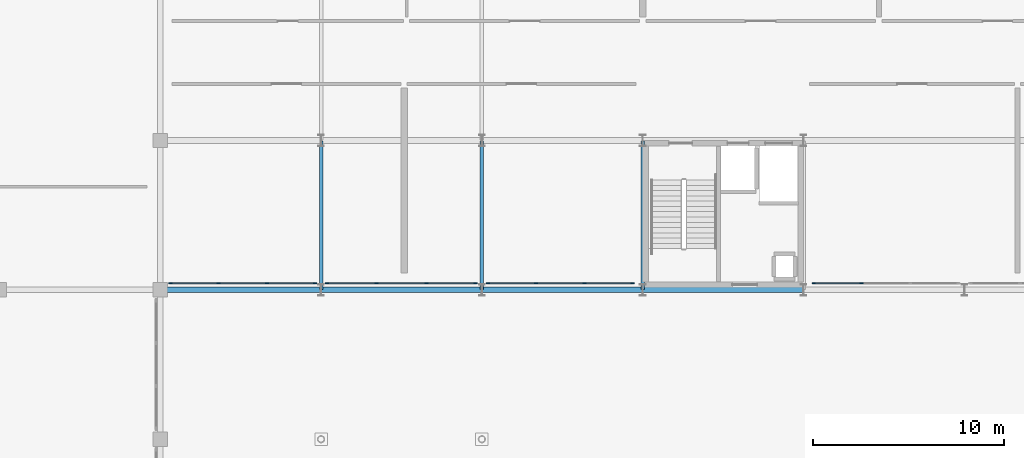
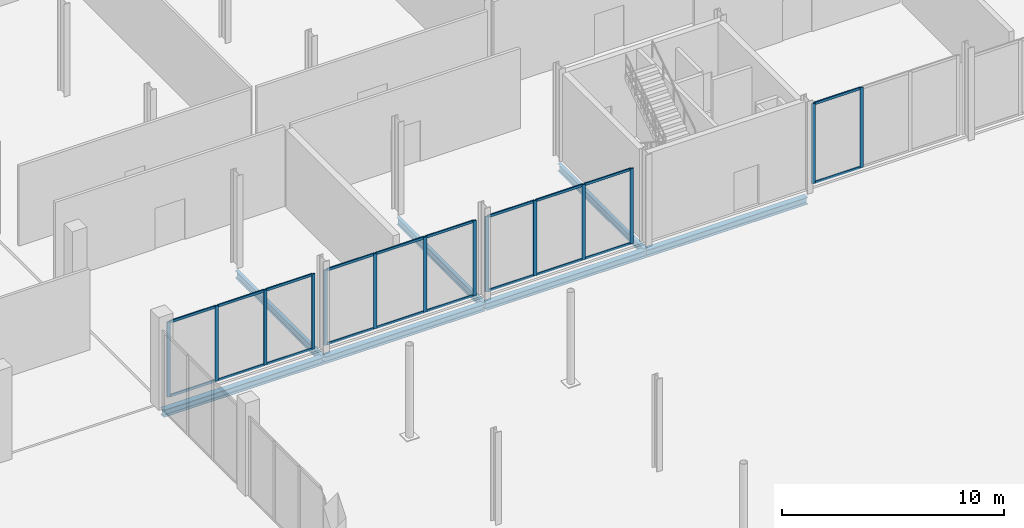
# One storey, part 31 of 80: 34 members, 7 beams, 4 elements without a shape of their own.
"""IFC4 building model written with IfcOpenShell, lengths in metres."""

import ifcopenshell
import ifcopenshell.guid

model = None  # the IFC model being written
_history = None  # IfcOwnerHistory: only IFC2X3 demands one
_inside = {}  # id of a spatial element -> (the spatial element, [elements in it])
_under = {}  # id of a project, library or spatial element -> (it, [spatial elements below it])
_declared = {}  # id of a project -> (the project, [libraries it declares])
_typed = {}  # id of a type object -> (the type object, [elements of that type])
_made_of = {}  # id of a material, layer set ... -> (it, [elements and type objects made of it])


def new_model(schema):
    """Start an empty IFC model of exactly this schema.

    Asked for "IFC4X3", IfcOpenShell would pick the latest addendum, in which some entities
    have other attributes; the version numbers below select the first issue.
    IFC2X3 requires an IfcOwnerHistory on every rooted entity: one is made here for all.
    """
    global model, _history
    if schema == "IFC4X3":
        model = ifcopenshell.file(schema_version=(4, 3, 0, 0))
    else:
        model = ifcopenshell.file(schema=schema)
    _inside.clear()
    _under.clear()
    _declared.clear()
    _typed.clear()
    _made_of.clear()
    _history = None
    if model.schema == "IFC2X3":
        org = make("IfcOrganization", Name="unknown")
        user = make(
            "IfcPersonAndOrganization",
            ThePerson=make("IfcPerson", FamilyName="unknown"),
            TheOrganization=org,
        )
        app = make(
            "IfcApplication",
            ApplicationDeveloper=org,
            Version="unknown",
            ApplicationFullName="unknown",
            ApplicationIdentifier="unknown",
        )
        _history = make(
            "IfcOwnerHistory",
            OwningUser=user,
            OwningApplication=app,
            ChangeAction="ADDED",
            CreationDate=0,
        )
    return model


def make(cls, **values):
    """One entity of the class cls with the attributes given. An attribute that is None is left unset."""
    return model.create_entity(
        cls, **{name: value for name, value in values.items() if value is not None}
    )


def rooted(cls, **values):
    """An entity with a GlobalId (a new one), such as an element, a storey or a relation."""
    return make(cls, GlobalId=ifcopenshell.guid.new(), OwnerHistory=_history, **values)


def si_unit(unit_type, name, prefix=None):
    """IfcSIUnit, for example si_unit("LENGTHUNIT", "METRE", prefix="MILLI")."""
    return make("IfcSIUnit", UnitType=unit_type, Prefix=prefix, Name=name)


def assignment(units):
    """IfcUnitAssignment: the units of a project."""
    return None if units is None else make("IfcUnitAssignment", Units=units)


def point(xyz):
    """IfcCartesianPoint."""
    return None if xyz is None else make("IfcCartesianPoint", Coordinates=xyz)


def direction(xyz):
    """IfcDirection."""
    return None if xyz is None else make("IfcDirection", DirectionRatios=xyz)


def frame(location, z_axis=None, x_axis=None):
    """IfcAxis2Placement3D, a coordinate frame: its origin and axes. An axis left out is left unset."""
    return make(
        "IfcAxis2Placement3D",
        Location=point(location),
        Axis=direction(z_axis),
        RefDirection=direction(x_axis),
    )


def frame_2d(location, x_axis=None):
    """IfcAxis2Placement2D, a coordinate frame in the plane: its origin and x axis."""
    return make(
        "IfcAxis2Placement2D", Location=point(location), RefDirection=direction(x_axis)
    )


def origin():
    """The frame at (0, 0, 0) with its axes left unset."""
    return frame((0.0, 0.0, 0.0))


def origin_2d():
    """The frame at (0, 0) in the plane with its x axis left unset."""
    return frame_2d((0.0, 0.0))


def place(relative_to, where):
    """IfcLocalPlacement: puts the frame where relative to a parent placement (None: the world)."""
    return make(
        "IfcLocalPlacement", PlacementRelTo=relative_to, RelativePlacement=where
    )


def context(
    kind, dimensions, precision=None, world=None, true_north=None, identifier=None
):
    """IfcGeometricRepresentationContext, for example the 3D "Model" context."""
    return make(
        "IfcGeometricRepresentationContext",
        ContextIdentifier=identifier,
        ContextType=kind,
        CoordinateSpaceDimension=dimensions,
        Precision=precision,
        WorldCoordinateSystem=world,
        TrueNorth=true_north,
    )


def subcontext(parent, identifier, kind, view, scale=None):
    """IfcGeometricRepresentationSubContext, for example "Body" below "Model"."""
    return make(
        "IfcGeometricRepresentationSubContext",
        ContextIdentifier=identifier,
        ContextType=kind,
        ParentContext=parent,
        TargetScale=scale,
        TargetView=view,
    )


def project(units=None, contexts=None):
    """IfcProject with its units and contexts."""
    return rooted(
        "IfcProject",
        Name="project",
        RepresentationContexts=contexts,
        UnitsInContext=assignment(units),
    )


def spatial(cls, under=None, at=None, **own):
    """A site, building, storey or space (cls), placed at a placement, below another one or the project."""
    s = rooted(cls, ObjectPlacement=at, **own)
    if under is not None:
        _under.setdefault(under.id(), (under, []))[1].append(s)
    return s


def profile(cls, at=None, kind="AREA", **sizes):
    """A parametric profile (cls). Its sizes go by their IFC names, for example OverallWidth=200.0."""
    return make(cls, ProfileType=kind, Position=at, **sizes)


def rectangle(**sizes):
    """IfcRectangleProfileDef."""
    return profile("IfcRectangleProfileDef", **sizes)


def i_section(**sizes):
    """IfcIShapeProfileDef."""
    return profile("IfcIShapeProfileDef", **sizes)


def extrude(swept, where, along, depth):
    """IfcExtrudedAreaSolid: the profile swept, set in the frame where, extruded along a direction by depth."""
    return make(
        "IfcExtrudedAreaSolid",
        SweptArea=swept,
        Position=where,
        ExtrudedDirection=direction(along),
        Depth=depth,
    )


def shape(context_of_items, identifier, shape_type, items):
    """IfcShapeRepresentation: the items that make up one representation, for example the "Body"."""
    return make(
        "IfcShapeRepresentation",
        ContextOfItems=context_of_items,
        RepresentationIdentifier=identifier,
        RepresentationType=shape_type,
        Items=items,
    )


def material(Name=None, Category=None):
    """IfcMaterial."""
    return make("IfcMaterial", Name=Name, Category=Category)


def material_profile(
    of_material, cross_section, Name=None, Category=None, Priority=None
):
    """IfcMaterialProfile: a cross section and its material."""
    return make(
        "IfcMaterialProfile",
        Name=Name,
        Material=of_material,
        Profile=cross_section,
        Priority=Priority,
        Category=Category,
    )


def profile_set(profiles, Name=None, composite=None):
    """IfcMaterialProfileSet."""
    return make(
        "IfcMaterialProfileSet",
        Name=Name,
        MaterialProfiles=profiles,
        CompositeProfile=composite,
    )


def made_of(thing, what):
    """Note that an element or type object is made of a material, layer set ...; save() writes the relation."""
    if what is not None:
        _made_of.setdefault(what.id(), (what, []))[1].append(thing)
    return thing


def type_object(cls, material=None, **own):
    """A type object (cls), such as IfcWallType, which elements share."""
    return made_of(rooted(cls, **own), material)


def element(
    cls,
    number,
    at=None,
    inside=None,
    cuts=None,
    type_object=None,
    material=None,
    context=None,
    identifier="Body",
    shape_type=None,
    held_by="IfcProductDefinitionShape",
    body=None,
    shapes=None,
    **own,
):
    """One element of the class cls, such as IfcWall. Its Tag is "e" and its number.

    at: its placement. inside: the storey or other place that contains it. cuts: it is an
    opening in that element (IfcRelVoidsElement). A single representation is given by context,
    identifier, shape_type and body (its items); several are given by shapes. held_by: the class
    of the entity that holds the representations. save() writes the other relations.
    """
    e = rooted(cls, Tag="e%d" % number, ObjectPlacement=at, **own)
    if body is not None:
        shapes = [shape(context, identifier, shape_type, body)]
    if shapes is not None:
        e.Representation = make(held_by, Representations=shapes)
    if inside is not None:
        _inside.setdefault(inside.id(), (inside, []))[1].append(e)
    if cuts is not None:
        rooted(
            "IfcRelVoidsElement", RelatingBuildingElement=cuts, RelatedOpeningElement=e
        )
    if type_object is not None:
        _typed.setdefault(type_object.id(), (type_object, []))[1].append(e)
    return made_of(e, material)


def aggregate(whole, parts):
    """IfcRelAggregates: a whole, such as a stair, and the parts it consists of."""
    return rooted("IfcRelAggregates", RelatingObject=whole, RelatedObjects=parts)


def save(model, path):
    """Write the relations noted so far, then the file.

    IfcRelAggregates (storeys below a building ...), IfcRelContainedInSpatialStructure (elements
    in a storey), IfcRelDefinesByType, IfcRelAssociatesMaterial and IfcRelDeclares: one each for
    every whole, place, type object, material and project.
    """
    for whole, parts in _under.values():
        aggregate(whole, parts)
    for where, things in _inside.values():
        rooted(
            "IfcRelContainedInSpatialStructure",
            RelatedElements=things,
            RelatingStructure=where,
        )
    for kind, things in _typed.values():
        rooted("IfcRelDefinesByType", RelatedObjects=things, RelatingType=kind)
    for what, things in _made_of.values():
        rooted("IfcRelAssociatesMaterial", RelatedObjects=things, RelatingMaterial=what)
    for by, libraries in _declared.values():
        rooted("IfcRelDeclares", RelatingContext=by, RelatedDefinitions=libraries)
    model.write(path)


model = new_model("IFC4")

# Units and contexts
model_context = context("Model", 3, precision=1e-05, world=origin(), true_north=direction((0.0, 1.0)))
body_context = subcontext(model_context, "Body", "Model", "MODEL_VIEW")
ifc_project = project(units=[si_unit("LENGTHUNIT", "METRE"), si_unit("AREAUNIT", "SQUARE_METRE"), si_unit("VOLUMEUNIT", "CUBIC_METRE"), si_unit("PLANEANGLEUNIT", "RADIAN"), si_unit("MASSUNIT", "GRAM", prefix="KILO")], contexts=[model_context])

# Site, building, storey
site_placement = place(None, origin())
site = spatial("IfcSite", under=ifc_project, at=site_placement, CompositionType="ELEMENT")
building_placement = place(site_placement, origin())
building = spatial("IfcBuilding", under=site, at=building_placement, Name="Nabrawat Pavilion Hospital", CompositionType="ELEMENT")
storey_placement = place(building_placement, origin())
storey = spatial("IfcBuildingStorey", under=building, at=storey_placement, Name="L00", CompositionType="ELEMENT", Elevation=0.0)

# Curtain wall, members
ifc_material_1 = material(Name="Anodised Aluminium", Category="aluminium")
curtain_wall_type = type_object("IfcCurtainWallType", Name="Healing Garden Cloister Curtain Wall", PredefinedType="USERDEFINED", material=ifc_material_1)
curtain_wall_1_placement = place(storey_placement, origin())
curtain_wall_1 = element("IfcCurtainWall", 1, at=curtain_wall_1_placement, inside=storey, type_object=curtain_wall_type, Name="L00 Healing Garden Cloister Curtain Wall 017", ObjectType="CURTAIN WALL", PredefinedType="USERDEFINED")
ifc_material_profile_1 = material_profile(ifc_material_1, rectangle(XDim=0.06494140625, YDim=0.179931640625, at=origin_2d()), Name="CWM 65x180")
ifc_profile_set_1 = profile_set([ifc_material_profile_1], Name="Anodised Aluminium")
member_type_1 = type_object("IfcMemberType", Name="Healing Garden Cloister Curtain Wall Mullion CWM 65x180", PredefinedType="MULLION", material=ifc_profile_set_1)
member_1_placement = place(storey_placement, frame((59.347412109375, 86.139892578125, 0.0), z_axis=(0.0, 0.0, 1.0), x_axis=(0.0, 1.0, 0.0)))
member_1 = element("IfcMember", 2, at=member_1_placement, type_object=member_type_1, Name="CW-CLN-01 mullion 1", PredefinedType="MULLION", context=body_context, shape_type="SweptSolid", body=[
    extrude(rectangle(XDim=0.06494140625, YDim=0.179931640625, at=origin_2d()), origin(), (0.0, 0.0, 1.0), 4.139892578125),
])
member_2_placement = place(storey_placement, frame((61.8466796875, 86.139892578125, 0.0), z_axis=(0.0, 0.0, 1.0), x_axis=(0.0, 1.0, 0.0)))
member_2 = element("IfcMember", 3, at=member_2_placement, type_object=member_type_1, Name="CW-CLN-01 mullion 2", PredefinedType="MULLION", context=body_context, shape_type="SweptSolid", body=[
    extrude(rectangle(XDim=0.06494140625, YDim=0.179931640625, at=origin_2d()), origin(), (0.0, 0.0, 1.0), 4.139892578125),
])
member_3_placement = place(storey_placement, frame((64.37841796875, 86.139892578125, 0.0), z_axis=(0.0, 0.0, 1.0), x_axis=(0.0, 1.0, 0.0)))
member_3 = element("IfcMember", 4, at=member_3_placement, type_object=member_type_1, Name="CW-CLN-01 mullion 3", PredefinedType="MULLION", context=body_context, shape_type="SweptSolid", body=[
    extrude(rectangle(XDim=0.06494140625, YDim=0.179931640625, at=origin_2d()), origin(), (0.0, 0.0, 1.0), 4.139892578125),
])
member_4_placement = place(storey_placement, frame((66.87744140625, 86.139892578125, 0.0), z_axis=(0.0, 0.0, 1.0), x_axis=(0.0, 1.0, 0.0)))
member_4 = element("IfcMember", 5, at=member_4_placement, type_object=member_type_1, Name="CW-CLN-01 mullion 4", PredefinedType="MULLION", context=body_context, shape_type="SweptSolid", body=[
    extrude(rectangle(XDim=0.06494140625, YDim=0.179931640625, at=origin_2d()), origin(), (0.0, 0.0, 1.0), 4.139892578125),
])

curtain_wall_2_placement = place(storey_placement, origin())
curtain_wall_2 = element("IfcCurtainWall", 6, at=curtain_wall_2_placement, inside=storey, type_object=curtain_wall_type, Name="L00 Healing Garden Cloister Curtain Wall 018", ObjectType="CURTAIN WALL", PredefinedType="USERDEFINED")
member_5_placement = place(storey_placement, frame((67.5224609375, 86.139892578125, 0.0), z_axis=(0.0, 0.0, 1.0), x_axis=(0.0, 1.0, 0.0)))
member_5 = element("IfcMember", 7, at=member_5_placement, type_object=member_type_1, Name="CW-CLN-01 mullion 1", PredefinedType="MULLION", context=body_context, shape_type="SweptSolid", body=[
    extrude(rectangle(XDim=0.06494140625, YDim=0.179931640625, at=origin_2d()), origin(), (0.0, 0.0, 1.0), 4.139892578125),
])
member_6_placement = place(storey_placement, frame((70.0966796875, 86.139892578125, 0.0), z_axis=(0.0, 0.0, 1.0), x_axis=(0.0, 1.0, 0.0)))
member_6 = element("IfcMember", 8, at=member_6_placement, type_object=member_type_1, Name="CW-CLN-01 mullion 2", PredefinedType="MULLION", context=body_context, shape_type="SweptSolid", body=[
    extrude(rectangle(XDim=0.06494140625, YDim=0.179931640625, at=origin_2d()), origin(), (0.0, 0.0, 1.0), 4.139892578125),
])
member_7_placement = place(storey_placement, frame((72.703369140625, 86.139892578125, 0.0), z_axis=(0.0, 0.0, 1.0), x_axis=(0.0, 1.0, 0.0)))
member_7 = element("IfcMember", 9, at=member_7_placement, type_object=member_type_1, Name="CW-CLN-01 mullion 3", PredefinedType="MULLION", context=body_context, shape_type="SweptSolid", body=[
    extrude(rectangle(XDim=0.06494140625, YDim=0.179931640625, at=origin_2d()), origin(), (0.0, 0.0, 1.0), 4.139892578125),
])
member_8_placement = place(storey_placement, frame((75.277587890625, 86.139892578125, 0.0), z_axis=(0.0, 0.0, 1.0), x_axis=(0.0, 1.0, 0.0)))
member_8 = element("IfcMember", 10, at=member_8_placement, type_object=member_type_1, Name="CW-CLN-01 mullion 4", PredefinedType="MULLION", context=body_context, shape_type="SweptSolid", body=[
    extrude(rectangle(XDim=0.06494140625, YDim=0.179931640625, at=origin_2d()), origin(), (0.0, 0.0, 1.0), 4.139892578125),
])

curtain_wall_3_placement = place(storey_placement, origin())
curtain_wall_3 = element("IfcCurtainWall", 11, at=curtain_wall_3_placement, inside=storey, type_object=curtain_wall_type, Name="L00 Healing Garden Cloister Curtain Wall 019", ObjectType="CURTAIN WALL", PredefinedType="USERDEFINED")
member_9_placement = place(storey_placement, frame((75.922607421875, 86.139892578125, 0.0), z_axis=(0.0, 0.0, 1.0), x_axis=(0.0, 1.0, 0.0)))
member_9 = element("IfcMember", 12, at=member_9_placement, type_object=member_type_1, Name="CW-CLN-01 mullion 1", PredefinedType="MULLION", context=body_context, shape_type="SweptSolid", body=[
    extrude(rectangle(XDim=0.06494140625, YDim=0.179931640625, at=origin_2d()), origin(), (0.0, 0.0, 1.0), 4.139892578125),
])
member_10_placement = place(storey_placement, frame((78.4267578125, 86.139892578125, 0.0), z_axis=(0.0, 0.0, 1.0), x_axis=(0.0, 1.0, 0.0)))
member_10 = element("IfcMember", 13, at=member_10_placement, type_object=member_type_1, Name="CW-CLN-01 mullion 2", PredefinedType="MULLION", context=body_context, shape_type="SweptSolid", body=[
    extrude(rectangle(XDim=0.06494140625, YDim=0.179931640625, at=origin_2d()), origin(), (0.0, 0.0, 1.0), 4.139892578125),
])
member_11_placement = place(storey_placement, frame((80.96337890625, 86.139892578125, 0.0), z_axis=(0.0, 0.0, 1.0), x_axis=(0.0, 1.0, 0.0)))
member_11 = element("IfcMember", 14, at=member_11_placement, type_object=member_type_1, Name="CW-CLN-01 mullion 3", PredefinedType="MULLION", context=body_context, shape_type="SweptSolid", body=[
    extrude(rectangle(XDim=0.06494140625, YDim=0.179931640625, at=origin_2d()), origin(), (0.0, 0.0, 1.0), 4.139892578125),
])
member_12_placement = place(storey_placement, frame((83.467529296875, 86.139892578125, 0.0), z_axis=(0.0, 0.0, 1.0), x_axis=(0.0, 1.0, 0.0)))
member_12 = element("IfcMember", 15, at=member_12_placement, type_object=member_type_1, Name="CW-CLN-01 mullion 4", PredefinedType="MULLION", context=body_context, shape_type="SweptSolid", body=[
    extrude(rectangle(XDim=0.06494140625, YDim=0.179931640625, at=origin_2d()), origin(), (0.0, 0.0, 1.0), 4.139892578125),
])

curtain_wall_4_placement = place(storey_placement, origin())
curtain_wall_4 = element("IfcCurtainWall", 16, at=curtain_wall_4_placement, inside=storey, type_object=curtain_wall_type, Name="L00 Healing Garden Cloister Curtain Wall 020", ObjectType="CURTAIN WALL", PredefinedType="USERDEFINED")
member_13_placement = place(storey_placement, frame((92.9326171875, 86.139892578125, 0.0), z_axis=(0.0, 0.0, 1.0), x_axis=(0.0, 1.0, 0.0)))
member_13 = element("IfcMember", 17, at=member_13_placement, type_object=member_type_1, Name="CW-CLN-01 mullion 1", PredefinedType="MULLION", context=body_context, shape_type="SweptSolid", body=[
    extrude(rectangle(XDim=0.06494140625, YDim=0.179931640625, at=origin_2d()), origin(), (0.0, 0.0, 1.0), 4.409912109375),
])
member_14_placement = place(storey_placement, frame((95.436767578125, 86.139892578125, 0.0), z_axis=(0.0, 0.0, 1.0), x_axis=(0.0, 1.0, 0.0)))
member_14 = element("IfcMember", 18, at=member_14_placement, type_object=member_type_1, Name="CW-CLN-01 mullion 2", PredefinedType="MULLION", context=body_context, shape_type="SweptSolid", body=[
    extrude(rectangle(XDim=0.06494140625, YDim=0.179931640625, at=origin_2d()), origin(), (0.0, 0.0, 1.0), 4.409912109375),
])

# Member
ifc_material_profile_2 = material_profile(ifc_material_1, rectangle(XDim=0.06494140625, YDim=0.135009765625, at=origin_2d()), Name="CWT 65x135")
ifc_profile_set_2 = profile_set([ifc_material_profile_2], Name="Anodised Aluminium")
member_type_2 = type_object("IfcMemberType", Name="Healing Garden Cloister Curtain Wall Transom CWT 65x135", PredefinedType="USERDEFINED", material=ifc_profile_set_2)
member_15_placement = place(storey_placement, frame((59.3798828125, 86.139892578125, 0.032470703125), z_axis=(1.0, 0.0, 0.0), x_axis=(0.0, 1.0, 0.0)))
member_15 = element("IfcMember", 19, at=member_15_placement, type_object=member_type_2, Name="CW-CLN-01 transom 1.1", ObjectType="TRANSOM", PredefinedType="USERDEFINED", context=body_context, shape_type="SweptSolid", body=[
    extrude(rectangle(XDim=0.06494140625, YDim=0.135009765625, at=origin_2d()), origin(), (0.0, 0.0, 1.0), 2.434326171875),
])

member_16_placement = place(storey_placement, frame((59.3798828125, 86.139892578125, 4.107421875), z_axis=(1.0, 0.0, 0.0), x_axis=(0.0, 1.0, 0.0)))
member_16 = element("IfcMember", 20, at=member_16_placement, type_object=member_type_2, Name="CW-CLN-01 transom 1.2", ObjectType="TRANSOM", PredefinedType="USERDEFINED", context=body_context, shape_type="SweptSolid", body=[
    extrude(rectangle(XDim=0.06494140625, YDim=0.135009765625, at=origin_2d()), origin(), (0.0, 0.0, 1.0), 2.434326171875),
])

member_17_placement = place(storey_placement, frame((61.879150390625, 86.139892578125, 0.032470703125), z_axis=(1.0, 0.0, 0.0), x_axis=(0.0, 1.0, 0.0)))
member_17 = element("IfcMember", 21, at=member_17_placement, type_object=member_type_2, Name="CW-CLN-01 transom 2.1", ObjectType="TRANSOM", PredefinedType="USERDEFINED", context=body_context, shape_type="SweptSolid", body=[
    extrude(rectangle(XDim=0.06494140625, YDim=0.135009765625, at=origin_2d()), origin(), (0.0, 0.0, 1.0), 2.466796875),
])

member_18_placement = place(storey_placement, frame((61.879150390625, 86.139892578125, 4.107421875), z_axis=(1.0, 0.0, 0.0), x_axis=(0.0, 1.0, 0.0)))
member_18 = element("IfcMember", 22, at=member_18_placement, type_object=member_type_2, Name="CW-CLN-01 transom 2.2", ObjectType="TRANSOM", PredefinedType="USERDEFINED", context=body_context, shape_type="SweptSolid", body=[
    extrude(rectangle(XDim=0.06494140625, YDim=0.135009765625, at=origin_2d()), origin(), (0.0, 0.0, 1.0), 2.466796875),
])

member_19_placement = place(storey_placement, frame((64.410888671875, 86.139892578125, 0.032470703125), z_axis=(1.0, 0.0, 0.0), x_axis=(0.0, 1.0, 0.0)))
member_19 = element("IfcMember", 23, at=member_19_placement, type_object=member_type_2, Name="CW-CLN-01 transom 3.1", ObjectType="TRANSOM", PredefinedType="USERDEFINED", context=body_context, shape_type="SweptSolid", body=[
    extrude(rectangle(XDim=0.06494140625, YDim=0.135009765625, at=origin_2d()), origin(), (0.0, 0.0, 1.0), 2.43408203125),
])

member_20_placement = place(storey_placement, frame((64.410888671875, 86.139892578125, 4.107421875), z_axis=(1.0, 0.0, 0.0), x_axis=(0.0, 1.0, 0.0)))
member_20 = element("IfcMember", 24, at=member_20_placement, type_object=member_type_2, Name="CW-CLN-01 transom 3.2", ObjectType="TRANSOM", PredefinedType="USERDEFINED", context=body_context, shape_type="SweptSolid", body=[
    extrude(rectangle(XDim=0.06494140625, YDim=0.135009765625, at=origin_2d()), origin(), (0.0, 0.0, 1.0), 2.43408203125),
])

aggregate(curtain_wall_1, [member_1, member_2, member_3, member_4, member_15, member_16, member_17, member_18, member_19, member_20])

member_21_placement = place(storey_placement, frame((67.554931640625, 86.139892578125, 0.032470703125), z_axis=(1.0, 0.0, 0.0), x_axis=(0.0, 1.0, 0.0)))
member_21 = element("IfcMember", 25, at=member_21_placement, type_object=member_type_2, Name="CW-CLN-01 transom 1.1", ObjectType="TRANSOM", PredefinedType="USERDEFINED", context=body_context, shape_type="SweptSolid", body=[
    extrude(rectangle(XDim=0.06494140625, YDim=0.135009765625, at=origin_2d()), origin(), (0.0, 0.0, 1.0), 2.50927734375),
])

member_22_placement = place(storey_placement, frame((67.554931640625, 86.139892578125, 4.107421875), z_axis=(1.0, 0.0, 0.0), x_axis=(0.0, 1.0, 0.0)))
member_22 = element("IfcMember", 26, at=member_22_placement, type_object=member_type_2, Name="CW-CLN-01 transom 1.2", ObjectType="TRANSOM", PredefinedType="USERDEFINED", context=body_context, shape_type="SweptSolid", body=[
    extrude(rectangle(XDim=0.06494140625, YDim=0.135009765625, at=origin_2d()), origin(), (0.0, 0.0, 1.0), 2.50927734375),
])

member_23_placement = place(storey_placement, frame((70.129150390625, 86.139892578125, 0.032470703125), z_axis=(1.0, 0.0, 0.0), x_axis=(0.0, 1.0, 0.0)))
member_23 = element("IfcMember", 27, at=member_23_placement, type_object=member_type_2, Name="CW-CLN-01 transom 2.1", ObjectType="TRANSOM", PredefinedType="USERDEFINED", context=body_context, shape_type="SweptSolid", body=[
    extrude(rectangle(XDim=0.06494140625, YDim=0.135009765625, at=origin_2d()), origin(), (0.0, 0.0, 1.0), 2.541748046875),
])

member_24_placement = place(storey_placement, frame((70.129150390625, 86.139892578125, 4.107421875), z_axis=(1.0, 0.0, 0.0), x_axis=(0.0, 1.0, 0.0)))
member_24 = element("IfcMember", 28, at=member_24_placement, type_object=member_type_2, Name="CW-CLN-01 transom 2.2", ObjectType="TRANSOM", PredefinedType="USERDEFINED", context=body_context, shape_type="SweptSolid", body=[
    extrude(rectangle(XDim=0.06494140625, YDim=0.135009765625, at=origin_2d()), origin(), (0.0, 0.0, 1.0), 2.541748046875),
])

member_25_placement = place(storey_placement, frame((72.73583984375, 86.139892578125, 0.032470703125), z_axis=(1.0, 0.0, 0.0), x_axis=(0.0, 1.0, 0.0)))
member_25 = element("IfcMember", 29, at=member_25_placement, type_object=member_type_2, Name="CW-CLN-01 transom 3.1", ObjectType="TRANSOM", PredefinedType="USERDEFINED", context=body_context, shape_type="SweptSolid", body=[
    extrude(rectangle(XDim=0.06494140625, YDim=0.135009765625, at=origin_2d()), origin(), (0.0, 0.0, 1.0), 2.50927734375),
])

member_26_placement = place(storey_placement, frame((72.73583984375, 86.139892578125, 4.107421875), z_axis=(1.0, 0.0, 0.0), x_axis=(0.0, 1.0, 0.0)))
member_26 = element("IfcMember", 30, at=member_26_placement, type_object=member_type_2, Name="CW-CLN-01 transom 3.2", ObjectType="TRANSOM", PredefinedType="USERDEFINED", context=body_context, shape_type="SweptSolid", body=[
    extrude(rectangle(XDim=0.06494140625, YDim=0.135009765625, at=origin_2d()), origin(), (0.0, 0.0, 1.0), 2.50927734375),
])

aggregate(curtain_wall_2, [member_5, member_6, member_7, member_8, member_21, member_22, member_23, member_24, member_25, member_26])

member_27_placement = place(storey_placement, frame((75.955078125, 86.139892578125, 0.032470703125), z_axis=(1.0, 0.0, 0.0), x_axis=(0.0, 1.0, 0.0)))
member_27 = element("IfcMember", 31, at=member_27_placement, type_object=member_type_2, Name="CW-CLN-01 transom 1.1", ObjectType="TRANSOM", PredefinedType="USERDEFINED", context=body_context, shape_type="SweptSolid", body=[
    extrude(rectangle(XDim=0.06494140625, YDim=0.135009765625, at=origin_2d()), origin(), (0.0, 0.0, 1.0), 2.439208984375),
])

member_28_placement = place(storey_placement, frame((75.955078125, 86.139892578125, 4.107421875), z_axis=(1.0, 0.0, 0.0), x_axis=(0.0, 1.0, 0.0)))
member_28 = element("IfcMember", 32, at=member_28_placement, type_object=member_type_2, Name="CW-CLN-01 transom 1.2", ObjectType="TRANSOM", PredefinedType="USERDEFINED", context=body_context, shape_type="SweptSolid", body=[
    extrude(rectangle(XDim=0.06494140625, YDim=0.135009765625, at=origin_2d()), origin(), (0.0, 0.0, 1.0), 2.439208984375),
])

member_29_placement = place(storey_placement, frame((78.459228515625, 86.139892578125, 0.032470703125), z_axis=(1.0, 0.0, 0.0), x_axis=(0.0, 1.0, 0.0)))
member_29 = element("IfcMember", 33, at=member_29_placement, type_object=member_type_2, Name="CW-CLN-01 transom 2.1", ObjectType="TRANSOM", PredefinedType="USERDEFINED", context=body_context, shape_type="SweptSolid", body=[
    extrude(rectangle(XDim=0.06494140625, YDim=0.135009765625, at=origin_2d()), origin(), (0.0, 0.0, 1.0), 2.4716796875),
])

member_30_placement = place(storey_placement, frame((78.459228515625, 86.139892578125, 4.107421875), z_axis=(1.0, 0.0, 0.0), x_axis=(0.0, 1.0, 0.0)))
member_30 = element("IfcMember", 34, at=member_30_placement, type_object=member_type_2, Name="CW-CLN-01 transom 2.2", ObjectType="TRANSOM", PredefinedType="USERDEFINED", context=body_context, shape_type="SweptSolid", body=[
    extrude(rectangle(XDim=0.06494140625, YDim=0.135009765625, at=origin_2d()), origin(), (0.0, 0.0, 1.0), 2.4716796875),
])

member_31_placement = place(storey_placement, frame((80.995849609375, 86.139892578125, 0.032470703125), z_axis=(1.0, 0.0, 0.0), x_axis=(0.0, 1.0, 0.0)))
member_31 = element("IfcMember", 35, at=member_31_placement, type_object=member_type_2, Name="CW-CLN-01 transom 3.1", ObjectType="TRANSOM", PredefinedType="USERDEFINED", context=body_context, shape_type="SweptSolid", body=[
    extrude(rectangle(XDim=0.06494140625, YDim=0.135009765625, at=origin_2d()), origin(), (0.0, 0.0, 1.0), 2.439208984375),
])

member_32_placement = place(storey_placement, frame((80.995849609375, 86.139892578125, 4.107421875), z_axis=(1.0, 0.0, 0.0), x_axis=(0.0, 1.0, 0.0)))
member_32 = element("IfcMember", 36, at=member_32_placement, type_object=member_type_2, Name="CW-CLN-01 transom 3.2", ObjectType="TRANSOM", PredefinedType="USERDEFINED", context=body_context, shape_type="SweptSolid", body=[
    extrude(rectangle(XDim=0.06494140625, YDim=0.135009765625, at=origin_2d()), origin(), (0.0, 0.0, 1.0), 2.439208984375),
])

aggregate(curtain_wall_3, [member_9, member_10, member_11, member_12, member_27, member_28, member_29, member_30, member_31, member_32])

member_33_placement = place(storey_placement, frame((92.965087890625, 86.139892578125, 0.032470703125), z_axis=(1.0, 0.0, 0.0), x_axis=(0.0, 1.0, 0.0)))
member_33 = element("IfcMember", 37, at=member_33_placement, type_object=member_type_2, Name="CW-CLN-01 transom 1.1", ObjectType="TRANSOM", PredefinedType="USERDEFINED", context=body_context, shape_type="SweptSolid", body=[
    extrude(rectangle(XDim=0.06494140625, YDim=0.135009765625, at=origin_2d()), origin(), (0.0, 0.0, 1.0), 2.43896484375),
])

member_34_placement = place(storey_placement, frame((92.965087890625, 86.139892578125, 4.37744140625), z_axis=(1.0, 0.0, 0.0), x_axis=(0.0, 1.0, 0.0)))
member_34 = element("IfcMember", 38, at=member_34_placement, type_object=member_type_2, Name="CW-CLN-01 transom 1.2", ObjectType="TRANSOM", PredefinedType="USERDEFINED", context=body_context, shape_type="SweptSolid", body=[
    extrude(rectangle(XDim=0.06494140625, YDim=0.135009765625, at=origin_2d()), origin(), (0.0, 0.0, 1.0), 2.43896484375),
])

aggregate(curtain_wall_4, [member_13, member_14, member_33, member_34])

# Beams
ifc_material_2 = material(Name="Steel S355", Category="steel")
ifc_material_profile_3 = material_profile(ifc_material_2, i_section(OverallWidth=0.300048828125, OverallDepth=0.389892578125, WebThickness=0.010986328125, FlangeThickness=0.01904296875, FilletRadius=0.027099609375, at=origin_2d()), Name="HEA 400")
ifc_profile_set_3 = profile_set([ifc_material_profile_3], Name="Steel S355")
beam_type_1 = type_object("IfcBeamType", Name="Perimeter Moment Spandrel Beam HEA 400", PredefinedType="SPANDREL", material=ifc_profile_set_3)
beam_1_placement = place(storey_placement, frame((58.820068359375, 85.800048828125, -0.47509765625), z_axis=(1.0, 0.0, 0.0), x_axis=(0.0, 1.0, 0.0)))
element("IfcBeam", 39, at=beam_1_placement, inside=storey, type_object=beam_type_1, Name="L00 Primary X Girder 148", PredefinedType="SPANDREL", context=body_context, shape_type="SweptSolid", body=[
    extrude(i_section(OverallWidth=0.300048828125, OverallDepth=0.389892578125, WebThickness=0.010986328125, FlangeThickness=0.01904296875, FilletRadius=0.027099609375, at=origin_2d()), origin(), (0.0, 0.0, 1.0), 8.35986328125),
])
beam_2_placement = place(storey_placement, frame((67.219970703125, 85.800048828125, -0.47509765625), z_axis=(1.0, 0.0, 0.0), x_axis=(0.0, 1.0, 0.0)))
element("IfcBeam", 40, at=beam_2_placement, inside=storey, type_object=beam_type_1, Name="L00 Primary X Girder 149", PredefinedType="SPANDREL", context=body_context, shape_type="SweptSolid", body=[
    extrude(i_section(OverallWidth=0.300048828125, OverallDepth=0.389892578125, WebThickness=0.010986328125, FlangeThickness=0.01904296875, FilletRadius=0.027099609375, at=origin_2d()), origin(), (0.0, 0.0, 1.0), 8.360107421875),
])
for number, where, z_axis, x_axis, name in (
    (41, (75.6201171875, 85.800048828125, -0.47509765625), (1.0, 0.0, 0.0), (0.0, 1.0, 0.0), "L00 Primary X Girder 150"),
    (42, (84.02001953125, 85.800048828125, -0.47509765625), (1.0, 0.0, 0.0), (0.0, 1.0, 0.0), "L00 Primary X Girder 151"),
):
    element("IfcBeam", number, at=place(storey_placement, frame(where, z_axis=z_axis, x_axis=x_axis)), inside=storey, type_object=beam_type_1, Name=name, PredefinedType="SPANDREL", context=body_context, shape_type="SweptSolid", body=[
        extrude(i_section(OverallWidth=0.300048828125, OverallDepth=0.389892578125, WebThickness=0.010986328125, FlangeThickness=0.01904296875, FilletRadius=0.027099609375, at=origin_2d()), origin(), (0.0, 0.0, 1.0), 8.35986328125),
    ])
ifc_material_profile_4 = material_profile(ifc_material_2, i_section(OverallWidth=0.179931640625, OverallDepth=0.39990234375, WebThickness=0.008544921875, FlangeThickness=0.013427734375, FilletRadius=0.02099609375, at=origin_2d()), Name="IPE 400")
ifc_profile_set_4 = profile_set([ifc_material_profile_4], Name="Steel S355")
beam_type_2 = type_object("IfcBeamType", Name="Standard Y Floor Beam IPE 400", PredefinedType="BEAM", material=ifc_profile_set_4)
for number, where, z_axis, x_axis, name in (
    (43, (67.199951171875, 85.820068359375, -0.47998046875), (0.0, 1.0, 0.0), (-1.0, 0.0, 0.0), "L00 Primary Y Beam 302"),
    (44, (75.60009765625, 85.820068359375, -0.47998046875), (0.0, 1.0, 0.0), (-1.0, 0.0, 0.0), "L00 Primary Y Beam 306"),
    (45, (84.0, 85.820068359375, -0.47998046875), (0.0, 1.0, 0.0), (-1.0, 0.0, 0.0), "L00 Primary Y Beam 310"),
):
    element("IfcBeam", number, at=place(storey_placement, frame(where, z_axis=z_axis, x_axis=x_axis)), inside=storey, type_object=beam_type_2, Name=name, PredefinedType="BEAM", context=body_context, shape_type="SweptSolid", body=[
        extrude(i_section(OverallWidth=0.179931640625, OverallDepth=0.39990234375, WebThickness=0.008544921875, FlangeThickness=0.013427734375, FilletRadius=0.02099609375, at=origin_2d()), origin(), (0.0, 0.0, 1.0), 7.760009765625),
    ])

save(model, "model.ifc")
